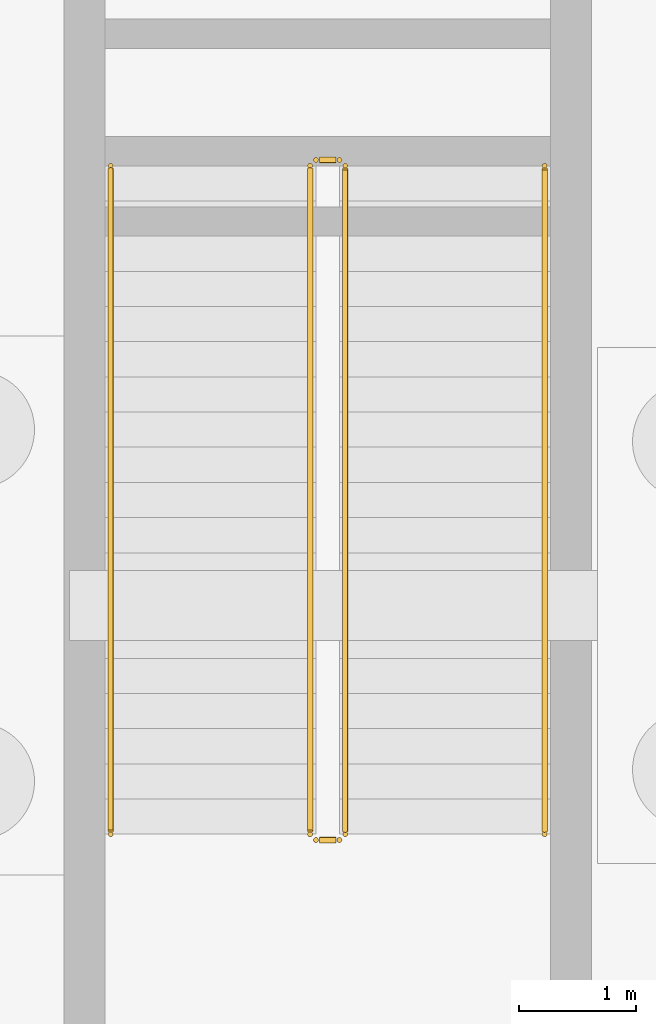
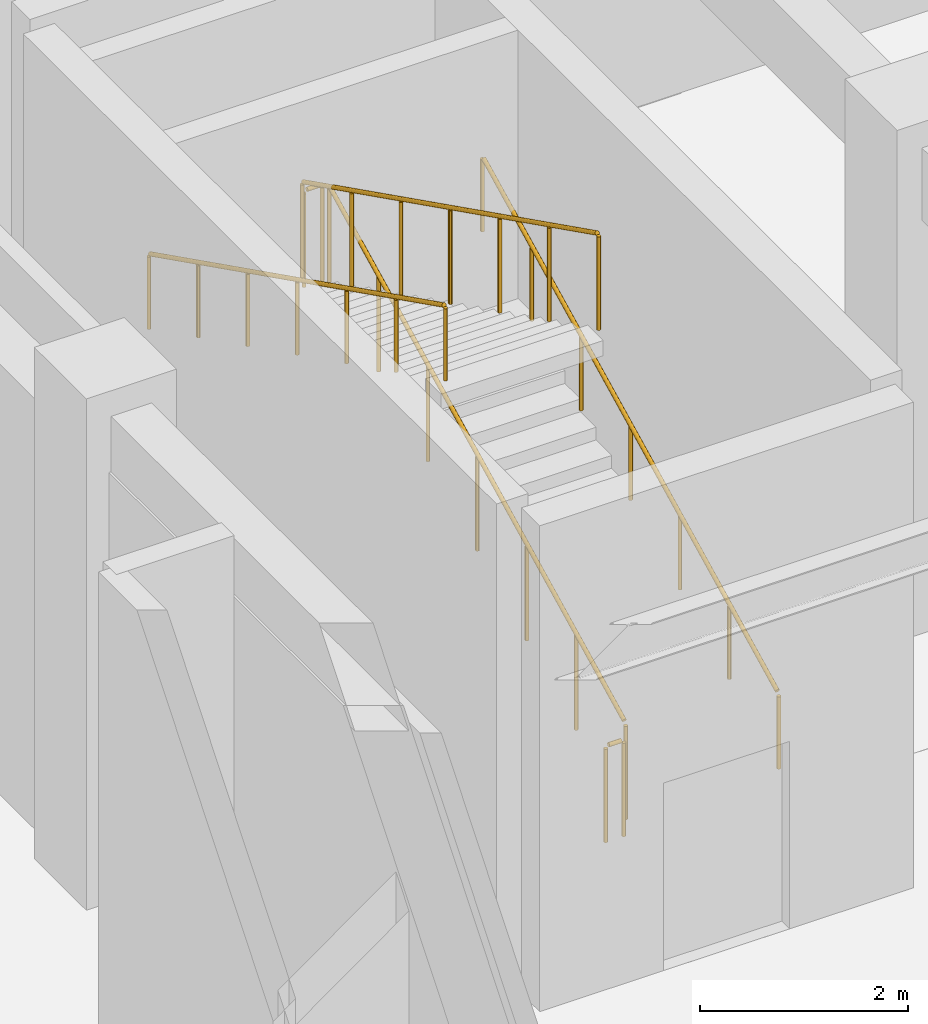
# One storey, part 31 of 36: 6 railings.
"""IFC4 building model written with IfcOpenShell, lengths in metres."""

import ifcopenshell
import ifcopenshell.guid

model = None  # the IFC model being written
_history = None  # IfcOwnerHistory: only IFC2X3 demands one
_inside = {}  # id of a spatial element -> (the spatial element, [elements in it])
_under = {}  # id of a project, library or spatial element -> (it, [spatial elements below it])
_declared = {}  # id of a project -> (the project, [libraries it declares])
_typed = {}  # id of a type object -> (the type object, [elements of that type])
_made_of = {}  # id of a material, layer set ... -> (it, [elements and type objects made of it])


def new_model(schema):
    """Start an empty IFC model of exactly this schema.

    Asked for "IFC4X3", IfcOpenShell would pick the latest addendum, in which some entities
    have other attributes; the version numbers below select the first issue.
    IFC2X3 requires an IfcOwnerHistory on every rooted entity: one is made here for all.
    """
    global model, _history
    if schema == "IFC4X3":
        model = ifcopenshell.file(schema_version=(4, 3, 0, 0))
    else:
        model = ifcopenshell.file(schema=schema)
    _inside.clear()
    _under.clear()
    _declared.clear()
    _typed.clear()
    _made_of.clear()
    _history = None
    if model.schema == "IFC2X3":
        org = make("IfcOrganization", Name="unknown")
        user = make(
            "IfcPersonAndOrganization",
            ThePerson=make("IfcPerson", FamilyName="unknown"),
            TheOrganization=org,
        )
        app = make(
            "IfcApplication",
            ApplicationDeveloper=org,
            Version="unknown",
            ApplicationFullName="unknown",
            ApplicationIdentifier="unknown",
        )
        _history = make(
            "IfcOwnerHistory",
            OwningUser=user,
            OwningApplication=app,
            ChangeAction="ADDED",
            CreationDate=0,
        )
    return model


def make(cls, **values):
    """One entity of the class cls with the attributes given. An attribute that is None is left unset."""
    return model.create_entity(
        cls, **{name: value for name, value in values.items() if value is not None}
    )


def rooted(cls, **values):
    """An entity with a GlobalId (a new one), such as an element, a storey or a relation."""
    return make(cls, GlobalId=ifcopenshell.guid.new(), OwnerHistory=_history, **values)


def si_unit(unit_type, name, prefix=None):
    """IfcSIUnit, for example si_unit("LENGTHUNIT", "METRE", prefix="MILLI")."""
    return make("IfcSIUnit", UnitType=unit_type, Prefix=prefix, Name=name)


def assignment(units):
    """IfcUnitAssignment: the units of a project."""
    return None if units is None else make("IfcUnitAssignment", Units=units)


def point(xyz):
    """IfcCartesianPoint."""
    return None if xyz is None else make("IfcCartesianPoint", Coordinates=xyz)


def direction(xyz):
    """IfcDirection."""
    return None if xyz is None else make("IfcDirection", DirectionRatios=xyz)


def frame(location, z_axis=None, x_axis=None):
    """IfcAxis2Placement3D, a coordinate frame: its origin and axes. An axis left out is left unset."""
    return make(
        "IfcAxis2Placement3D",
        Location=point(location),
        Axis=direction(z_axis),
        RefDirection=direction(x_axis),
    )


def frame_2d(location, x_axis=None):
    """IfcAxis2Placement2D, a coordinate frame in the plane: its origin and x axis."""
    return make(
        "IfcAxis2Placement2D", Location=point(location), RefDirection=direction(x_axis)
    )


def origin():
    """The frame at (0, 0, 0) with its axes left unset."""
    return frame((0.0, 0.0, 0.0))


def origin_2d():
    """The frame at (0, 0) in the plane with its x axis left unset."""
    return frame_2d((0.0, 0.0))


def place(relative_to, where):
    """IfcLocalPlacement: puts the frame where relative to a parent placement (None: the world)."""
    return make(
        "IfcLocalPlacement", PlacementRelTo=relative_to, RelativePlacement=where
    )


def context(
    kind, dimensions, precision=None, world=None, true_north=None, identifier=None
):
    """IfcGeometricRepresentationContext, for example the 3D "Model" context."""
    return make(
        "IfcGeometricRepresentationContext",
        ContextIdentifier=identifier,
        ContextType=kind,
        CoordinateSpaceDimension=dimensions,
        Precision=precision,
        WorldCoordinateSystem=world,
        TrueNorth=true_north,
    )


def subcontext(parent, identifier, kind, view, scale=None):
    """IfcGeometricRepresentationSubContext, for example "Body" below "Model"."""
    return make(
        "IfcGeometricRepresentationSubContext",
        ContextIdentifier=identifier,
        ContextType=kind,
        ParentContext=parent,
        TargetScale=scale,
        TargetView=view,
    )


def project(units=None, contexts=None):
    """IfcProject with its units and contexts."""
    return rooted(
        "IfcProject",
        Name="project",
        RepresentationContexts=contexts,
        UnitsInContext=assignment(units),
    )


def spatial(cls, under=None, at=None, **own):
    """A site, building, storey or space (cls), placed at a placement, below another one or the project."""
    s = rooted(cls, ObjectPlacement=at, **own)
    if under is not None:
        _under.setdefault(under.id(), (under, []))[1].append(s)
    return s


def profile(cls, at=None, kind="AREA", **sizes):
    """A parametric profile (cls). Its sizes go by their IFC names, for example OverallWidth=200.0."""
    return make(cls, ProfileType=kind, Position=at, **sizes)


def circle(**sizes):
    """IfcCircleProfileDef."""
    return profile("IfcCircleProfileDef", **sizes)


def extrude(swept, where, along, depth):
    """IfcExtrudedAreaSolid: the profile swept, set in the frame where, extruded along a direction by depth."""
    return make(
        "IfcExtrudedAreaSolid",
        SweptArea=swept,
        Position=where,
        ExtrudedDirection=direction(along),
        Depth=depth,
    )


def shape(context_of_items, identifier, shape_type, items):
    """IfcShapeRepresentation: the items that make up one representation, for example the "Body"."""
    return make(
        "IfcShapeRepresentation",
        ContextOfItems=context_of_items,
        RepresentationIdentifier=identifier,
        RepresentationType=shape_type,
        Items=items,
    )


def material(Name=None, Category=None):
    """IfcMaterial."""
    return make("IfcMaterial", Name=Name, Category=Category)


def made_of(thing, what):
    """Note that an element or type object is made of a material, layer set ...; save() writes the relation."""
    if what is not None:
        _made_of.setdefault(what.id(), (what, []))[1].append(thing)
    return thing


def type_object(cls, material=None, **own):
    """A type object (cls), such as IfcWallType, which elements share."""
    return made_of(rooted(cls, **own), material)


def element(
    cls,
    number,
    at=None,
    inside=None,
    cuts=None,
    type_object=None,
    material=None,
    context=None,
    identifier="Body",
    shape_type=None,
    held_by="IfcProductDefinitionShape",
    body=None,
    shapes=None,
    **own,
):
    """One element of the class cls, such as IfcWall. Its Tag is "e" and its number.

    at: its placement. inside: the storey or other place that contains it. cuts: it is an
    opening in that element (IfcRelVoidsElement). A single representation is given by context,
    identifier, shape_type and body (its items); several are given by shapes. held_by: the class
    of the entity that holds the representations. save() writes the other relations.
    """
    e = rooted(cls, Tag="e%d" % number, ObjectPlacement=at, **own)
    if body is not None:
        shapes = [shape(context, identifier, shape_type, body)]
    if shapes is not None:
        e.Representation = make(held_by, Representations=shapes)
    if inside is not None:
        _inside.setdefault(inside.id(), (inside, []))[1].append(e)
    if cuts is not None:
        rooted(
            "IfcRelVoidsElement", RelatingBuildingElement=cuts, RelatedOpeningElement=e
        )
    if type_object is not None:
        _typed.setdefault(type_object.id(), (type_object, []))[1].append(e)
    return made_of(e, material)


def aggregate(whole, parts):
    """IfcRelAggregates: a whole, such as a stair, and the parts it consists of."""
    return rooted("IfcRelAggregates", RelatingObject=whole, RelatedObjects=parts)


def save(model, path):
    """Write the relations noted so far, then the file.

    IfcRelAggregates (storeys below a building ...), IfcRelContainedInSpatialStructure (elements
    in a storey), IfcRelDefinesByType, IfcRelAssociatesMaterial and IfcRelDeclares: one each for
    every whole, place, type object, material and project.
    """
    for whole, parts in _under.values():
        aggregate(whole, parts)
    for where, things in _inside.values():
        rooted(
            "IfcRelContainedInSpatialStructure",
            RelatedElements=things,
            RelatingStructure=where,
        )
    for kind, things in _typed.values():
        rooted("IfcRelDefinesByType", RelatedObjects=things, RelatingType=kind)
    for what, things in _made_of.values():
        rooted("IfcRelAssociatesMaterial", RelatedObjects=things, RelatingMaterial=what)
    for by, libraries in _declared.values():
        rooted("IfcRelDeclares", RelatingContext=by, RelatedDefinitions=libraries)
    model.write(path)


model = new_model("IFC4")

# Units and contexts
model_context = context("Model", 3, precision=1e-05, world=origin(), true_north=direction((0.0, 1.0)))
body_context = subcontext(model_context, "Body", "Model", "MODEL_VIEW")
ifc_project = project(units=[si_unit("LENGTHUNIT", "METRE"), si_unit("AREAUNIT", "SQUARE_METRE"), si_unit("VOLUMEUNIT", "CUBIC_METRE"), si_unit("PLANEANGLEUNIT", "RADIAN"), si_unit("MASSUNIT", "GRAM", prefix="KILO")], contexts=[model_context])

# Site, building, storey
site_placement = place(None, origin())
site = spatial("IfcSite", under=ifc_project, at=site_placement, CompositionType="ELEMENT")
building_placement = place(site_placement, origin())
building = spatial("IfcBuilding", under=site, at=building_placement, Name="Haizhuo Lancet Aquarium", CompositionType="ELEMENT")
storey_placement = place(building_placement, frame((0.0, 0.0, -6.0)))
storey = spatial("IfcBuildingStorey", under=building, at=storey_placement, Name="B1", CompositionType="ELEMENT", Elevation=-6.0)

# Railings
ifc_material = material(Name="Steel S355", Category="steel")
railing_type_1 = type_object("IfcRailingType", Name="RL-GRD-1150", PredefinedType="GUARDRAIL", material=ifc_material)
railing_1_placement = place(storey_placement, frame((-22.35009765625, 43.050048828125, 0.14990234375)))
element("IfcRailing", 1, at=railing_1_placement, inside=storey, type_object=railing_type_1, Name="B1 ST-07 stair guard 1", PredefinedType="GUARDRAIL", context=body_context, shape_type="SweptSolid", body=[
    extrude(circle(Radius=0.02392578125, at=origin_2d()), frame((0.0, 0.02685546875, 1.13916015625), z_axis=(0.0, 0.894419528903, 0.447228919365), x_axis=(-1.0, 0.0, 0.0)), (0.0, 0.0, 1.0), 6.312744140625),
    extrude(circle(Radius=0.02099609375, at=origin_2d()), origin(), (0.0, 0.0, 1.0), 1.097900390625),
    extrude(circle(Radius=0.02099609375, at=origin_2d()), frame((0.0, 0.949951171875, 0.47509765625)), (0.0, 0.0, 1.0), 1.097900390625),
    extrude(circle(Radius=0.02099609375, at=origin_2d()), frame((0.0, 1.89990234375, 0.949951171875)), (0.0, 0.0, 1.0), 1.097900390625),
    extrude(circle(Radius=0.02099609375, at=origin_2d()), frame((0.0, 2.85009765625, 1.425048828125)), (0.0, 0.0, 1.0), 1.097900390625),
    extrude(circle(Radius=0.02099609375, at=origin_2d()), frame((0.0, 3.800048828125, 1.900146484375)), (0.0, 0.0, 1.0), 1.097900390625),
    extrude(circle(Radius=0.02099609375, at=origin_2d()), frame((0.0, 4.75, 2.375)), (0.0, 0.0, 1.0), 1.097900390625),
    extrude(circle(Radius=0.02099609375, at=origin_2d()), frame((0.0, 5.699951171875, 2.85009765625)), (0.0, 0.0, 1.0), 1.097900390625),
])
railing_2_placement = place(storey_placement, frame((-22.39990234375, 48.800048828125, 3.0)))
element("IfcRailing", 2, at=railing_2_placement, inside=storey, type_object=railing_type_1, Name="B1 ST-07 stair guard 2", PredefinedType="GUARDRAIL", context=body_context, shape_type="SweptSolid", body=[
    extrude(circle(Radius=0.02392578125, at=origin_2d()), frame((-0.030029296875, 0.0, 1.1259765625), z_axis=(-1.0, 0.0, 0.0), x_axis=(0.0, -1.0, 0.0)), (0.0, 0.0, 1.0), 0.14013671875),
    extrude(circle(Radius=0.02099609375, at=origin_2d()), origin(), (0.0, 0.0, 1.0), 1.097900390625),
    extrude(circle(Radius=0.02099609375, at=origin_2d()), frame((-0.2001953125, 0.0, 0.0)), (0.0, 0.0, 1.0), 1.097900390625),
])
railing_3_placement = place(storey_placement, frame((-22.64990234375, 48.75, 3.14990234375)))
element("IfcRailing", 3, at=railing_3_placement, inside=storey, type_object=railing_type_1, Name="B1 ST-07 stair guard 3", PredefinedType="GUARDRAIL", context=body_context, shape_type="SweptSolid", body=[
    extrude(circle(Radius=0.02392578125, at=origin_2d()), frame((0.0, -0.02685546875, 1.13916015625), z_axis=(0.0, -0.894419528903, 0.447228919365), x_axis=(1.0, 0.0, 0.0)), (0.0, 0.0, 1.0), 6.312744140625),
    extrude(circle(Radius=0.02099609375, at=origin_2d()), origin(), (0.0, 0.0, 1.0), 1.097900390625),
    extrude(circle(Radius=0.02099609375, at=origin_2d()), frame((0.0, -0.949951171875, 0.47509765625)), (0.0, 0.0, 1.0), 1.097900390625),
    extrude(circle(Radius=0.02099609375, at=origin_2d()), frame((0.0, -1.89990234375, 0.949951171875)), (0.0, 0.0, 1.0), 1.097900390625),
    extrude(circle(Radius=0.02099609375, at=origin_2d()), frame((0.0, -2.85009765625, 1.425048828125)), (0.0, 0.0, 1.0), 1.097900390625),
    extrude(circle(Radius=0.02099609375, at=origin_2d()), frame((0.0, -3.800048828125, 1.900146484375)), (0.0, 0.0, 1.0), 1.097900390625),
    extrude(circle(Radius=0.02099609375, at=origin_2d()), frame((0.0, -4.75, 2.375)), (0.0, 0.0, 1.0), 1.097900390625),
    extrude(circle(Radius=0.02099609375, at=origin_2d()), frame((0.0, -5.699951171875, 2.85009765625)), (0.0, 0.0, 1.0), 1.097900390625),
])
railing_4_placement = place(storey_placement, frame((-22.39990234375, 43.0, 0.0)))
element("IfcRailing", 4, at=railing_4_placement, inside=storey, type_object=railing_type_1, Name="B1 ST-07 stair guard 4", PredefinedType="GUARDRAIL", context=body_context, shape_type="SweptSolid", body=[
    extrude(circle(Radius=0.02392578125, at=origin_2d()), frame((-0.030029296875, 0.0, 1.1259765625), z_axis=(-1.0, 0.0, 0.0), x_axis=(0.0, -1.0, 0.0)), (0.0, 0.0, 1.0), 0.14013671875),
    extrude(circle(Radius=0.02099609375, at=origin_2d()), origin(), (0.0, 0.0, 1.0), 1.097900390625),
    extrude(circle(Radius=0.02099609375, at=origin_2d()), frame((-0.2001953125, 0.0, 0.0)), (0.0, 0.0, 1.0), 1.097900390625),
])
railing_type_2 = type_object("IfcRailingType", Name="RL-HDR-900", PredefinedType="HANDRAIL", material=ifc_material)
railing_5_placement = place(storey_placement, frame((-20.64990234375, 43.050048828125, 0.14990234375)))
element("IfcRailing", 5, at=railing_5_placement, inside=storey, type_object=railing_type_2, Name="B1 ST-07 pitch handrail 1", PredefinedType="HANDRAIL", context=body_context, shape_type="SweptSolid", body=[
    extrude(circle(Radius=0.02392578125, at=origin_2d()), frame((0.0, 0.02685546875, 0.88916015625), z_axis=(0.0, 0.894419528903, 0.447228919365), x_axis=(-1.0, 0.0, 0.0)), (0.0, 0.0, 1.0), 6.312744140625),
    extrude(circle(Radius=0.02099609375, at=origin_2d()), origin(), (0.0, 0.0, 1.0), 0.847900390625),
    extrude(circle(Radius=0.02099609375, at=origin_2d()), frame((0.0, 0.949951171875, 0.47509765625)), (0.0, 0.0, 1.0), 0.847900390625),
    extrude(circle(Radius=0.02099609375, at=origin_2d()), frame((0.0, 1.89990234375, 0.949951171875)), (0.0, 0.0, 1.0), 0.847900390625),
    extrude(circle(Radius=0.02099609375, at=origin_2d()), frame((0.0, 2.85009765625, 1.425048828125)), (0.0, 0.0, 1.0), 0.847900390625),
    extrude(circle(Radius=0.02099609375, at=origin_2d()), frame((0.0, 3.800048828125, 1.900146484375)), (0.0, 0.0, 1.0), 0.847900390625),
    extrude(circle(Radius=0.02099609375, at=origin_2d()), frame((0.0, 4.75, 2.375)), (0.0, 0.0, 1.0), 0.847900390625),
    extrude(circle(Radius=0.02099609375, at=origin_2d()), frame((0.0, 5.699951171875, 2.85009765625)), (0.0, 0.0, 1.0), 0.847900390625),
])
railing_6_placement = place(storey_placement, frame((-24.35009765625, 48.75, 3.14990234375)))
element("IfcRailing", 6, at=railing_6_placement, inside=storey, type_object=railing_type_2, Name="B1 ST-07 pitch handrail 2", PredefinedType="HANDRAIL", context=body_context, shape_type="SweptSolid", body=[
    extrude(circle(Radius=0.02392578125, at=origin_2d()), frame((0.0, -0.02685546875, 0.88916015625), z_axis=(0.0, -0.894419528903, 0.447228919365), x_axis=(1.0, 0.0, 0.0)), (0.0, 0.0, 1.0), 6.312744140625),
    extrude(circle(Radius=0.02099609375, at=origin_2d()), origin(), (0.0, 0.0, 1.0), 0.847900390625),
    extrude(circle(Radius=0.02099609375, at=origin_2d()), frame((0.0, -0.949951171875, 0.47509765625)), (0.0, 0.0, 1.0), 0.847900390625),
    extrude(circle(Radius=0.02099609375, at=origin_2d()), frame((0.0, -1.89990234375, 0.949951171875)), (0.0, 0.0, 1.0), 0.847900390625),
    extrude(circle(Radius=0.02099609375, at=origin_2d()), frame((0.0, -2.85009765625, 1.425048828125)), (0.0, 0.0, 1.0), 0.847900390625),
    extrude(circle(Radius=0.02099609375, at=origin_2d()), frame((0.0, -3.800048828125, 1.900146484375)), (0.0, 0.0, 1.0), 0.847900390625),
    extrude(circle(Radius=0.02099609375, at=origin_2d()), frame((0.0, -4.75, 2.375)), (0.0, 0.0, 1.0), 0.847900390625),
    extrude(circle(Radius=0.02099609375, at=origin_2d()), frame((0.0, -5.699951171875, 2.85009765625)), (0.0, 0.0, 1.0), 0.847900390625),
])

save(model, "model.ifc")
